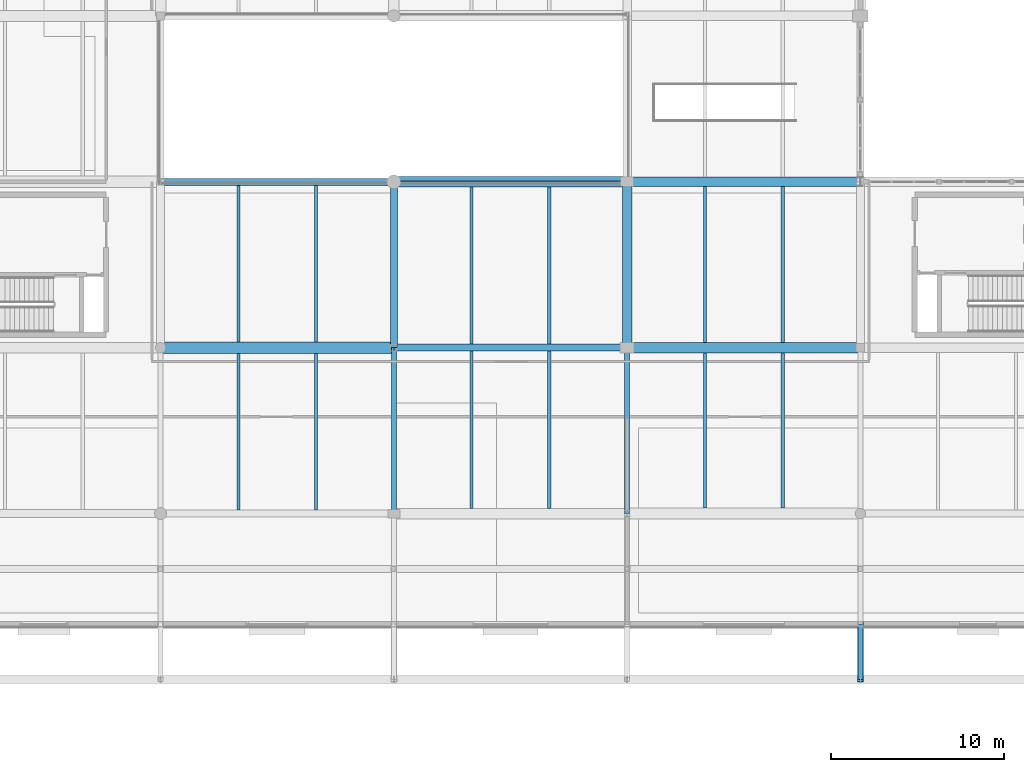
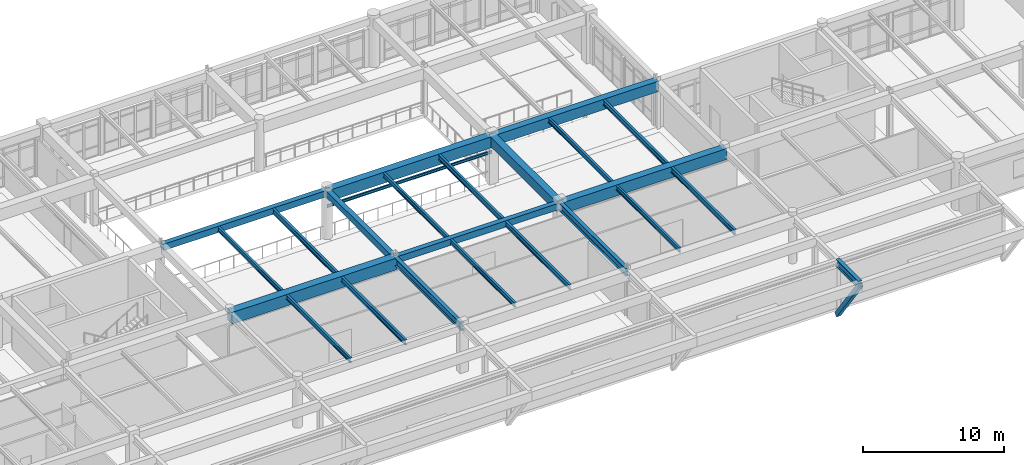
# One storey, part 23 of 80: 24 beams, 1 member.
"""IFC4 building model written with IfcOpenShell, lengths in metres."""

from ifc_helpers import new_model, si_unit, direction, frame, origin, origin_2d, place, context, subcontext, project, spatial, rectangle, hollow_rectangle, i_section, extrude, material, material_profile, profile_set, type_object, element, save


model = new_model("IFC4")

# Units and contexts
model_context = context("Model", 3, precision=1e-05, world=origin(), true_north=direction((0.0, 1.0)))
body_context = subcontext(model_context, "Body", "Model", "MODEL_VIEW")
ifc_project = project(units=[si_unit("LENGTHUNIT", "METRE"), si_unit("AREAUNIT", "SQUARE_METRE"), si_unit("VOLUMEUNIT", "CUBIC_METRE"), si_unit("PLANEANGLEUNIT", "RADIAN"), si_unit("MASSUNIT", "GRAM", prefix="KILO")], contexts=[model_context])

# Site, building, storey
site_placement = place(None, origin())
site = spatial("IfcSite", under=ifc_project, at=site_placement, CompositionType="ELEMENT")
building_placement = place(site_placement, origin())
building = spatial("IfcBuilding", under=site, at=building_placement, Name="Fikremerkos Civic Library", CompositionType="ELEMENT")
storey_placement = place(building_placement, frame((0.0, 0.0, 9.89990234375)))
storey = spatial("IfcBuildingStorey", under=building, at=storey_placement, Name="L02", CompositionType="ELEMENT", Elevation=9.89990234375)

# Beams
ifc_material_1 = material(Name="Steel S355", Category="steel")
ifc_material_profile_1 = material_profile(ifc_material_1, i_section(OverallWidth=0.18994140625, OverallDepth=0.449951171875, WebThickness=0.009521484375, FlangeThickness=0.0146484375, FilletRadius=0.02099609375, at=origin_2d()), Name="IPE 450")
ifc_profile_set_1 = profile_set([ifc_material_profile_1], Name="Steel S355")
beam_type_1 = type_object("IfcBeamType", Name="Floor joist JS-07 IPE 450", PredefinedType="JOIST", material=ifc_profile_set_1)
for number, where, z_axis, x_axis, name in (
    (1, (68.699951171875, 12.199951171875, 3.93505859375), (0.0, 1.0, 0.0), (-1.0, 0.0, 0.0), "Floor joist JS-07 L02 #499"),
    (2, (68.699951171875, 21.925048828125, 3.93505859375), (0.0, 1.0, 0.0), (-1.0, 0.0, 0.0), "Floor joist JS-07 L02 #501"),
):
    element("IfcBeam", number, at=place(storey_placement, frame(where, z_axis=z_axis, x_axis=x_axis)), inside=storey, type_object=beam_type_1, Name=name, PredefinedType="JOIST", context=body_context, shape_type="SweptSolid", body=[
        extrude(i_section(OverallWidth=0.18994140625, OverallDepth=0.449951171875, WebThickness=0.009521484375, FlangeThickness=0.0146484375, FilletRadius=0.02099609375, at=origin_2d()), origin(), (0.0, 0.0, 1.0), 9.074951171875),
    ])
for number, where, z_axis, x_axis, name in (
    (3, (82.199951171875, 12.300048828125, 3.93505859375), (0.0, 1.0, 0.0), (-1.0, 0.0, 0.0), "Floor joist JS-07 L02 #505"),
    (4, (82.199951171875, 21.800048828125, 3.93505859375), (0.0, 1.0, 0.0), (-1.0, 0.0, 0.0), "Floor joist JS-07 L02 #507"),
):
    element("IfcBeam", number, at=place(storey_placement, frame(where, z_axis=z_axis, x_axis=x_axis)), inside=storey, type_object=beam_type_1, Name=name, PredefinedType="JOIST", context=body_context, shape_type="SweptSolid", body=[
        extrude(i_section(OverallWidth=0.18994140625, OverallDepth=0.449951171875, WebThickness=0.009521484375, FlangeThickness=0.0146484375, FilletRadius=0.02099609375, at=origin_2d()), origin(), (0.0, 0.0, 1.0), 9.099853515625),
    ])
beam_1_placement = place(storey_placement, frame((95.699951171875, 12.324951171875, 3.93505859375), z_axis=(0.0, 1.0, 0.0), x_axis=(-1.0, 0.0, 0.0)))
element("IfcBeam", 5, at=beam_1_placement, inside=storey, type_object=beam_type_1, Name="Floor joist JS-07 L02 #511", PredefinedType="JOIST", context=body_context, shape_type="SweptSolid", body=[
    extrude(i_section(OverallWidth=0.18994140625, OverallDepth=0.449951171875, WebThickness=0.009521484375, FlangeThickness=0.0146484375, FilletRadius=0.02099609375, at=origin_2d()), origin(), (0.0, 0.0, 1.0), 8.97509765625),
])
beam_2_placement = place(storey_placement, frame((95.699951171875, 21.89990234375, 3.93505859375), z_axis=(0.0, 1.0, 0.0), x_axis=(-1.0, 0.0, 0.0)))
element("IfcBeam", 6, at=beam_2_placement, inside=storey, type_object=beam_type_1, Name="Floor joist JS-07 L02 #513", PredefinedType="JOIST", context=body_context, shape_type="SweptSolid", body=[
    extrude(i_section(OverallWidth=0.18994140625, OverallDepth=0.449951171875, WebThickness=0.009521484375, FlangeThickness=0.0146484375, FilletRadius=0.02099609375, at=origin_2d()), origin(), (0.0, 0.0, 1.0), 9.025146484375),
])
ifc_material_profile_2 = material_profile(ifc_material_1, i_section(OverallWidth=0.179931640625, OverallDepth=0.39990234375, WebThickness=0.008544921875, FlangeThickness=0.013427734375, FilletRadius=0.02099609375, at=origin_2d()), Name="IPE 400")
ifc_profile_set_2 = profile_set([ifc_material_profile_2], Name="Steel S355")
beam_type_2 = type_object("IfcBeamType", Name="Floor joist JS-08 IPE 400", PredefinedType="JOIST", material=ifc_profile_set_2)
for number, where, z_axis, x_axis, name in (
    (7, (64.199951171875, 12.199951171875, 3.960205078125), (0.0, 1.0, 0.0), (-1.0, 0.0, 0.0), "Floor joist JS-08 L02 #498"),
    (8, (64.199951171875, 21.925048828125, 3.960205078125), (0.0, 1.0, 0.0), (-1.0, 0.0, 0.0), "Floor joist JS-08 L02 #500"),
):
    element("IfcBeam", number, at=place(storey_placement, frame(where, z_axis=z_axis, x_axis=x_axis)), inside=storey, type_object=beam_type_2, Name=name, PredefinedType="JOIST", context=body_context, shape_type="SweptSolid", body=[
        extrude(i_section(OverallWidth=0.179931640625, OverallDepth=0.39990234375, WebThickness=0.008544921875, FlangeThickness=0.013427734375, FilletRadius=0.02099609375, at=origin_2d()), origin(), (0.0, 0.0, 1.0), 9.074951171875),
    ])
for number, where, z_axis, x_axis, name in (
    (9, (77.699951171875, 12.300048828125, 3.960205078125), (0.0, 1.0, 0.0), (-1.0, 0.0, 0.0), "Floor joist JS-08 L02 #504"),
    (10, (77.699951171875, 21.800048828125, 3.960205078125), (0.0, 1.0, 0.0), (-1.0, 0.0, 0.0), "Floor joist JS-08 L02 #506"),
):
    element("IfcBeam", number, at=place(storey_placement, frame(where, z_axis=z_axis, x_axis=x_axis)), inside=storey, type_object=beam_type_2, Name=name, PredefinedType="JOIST", context=body_context, shape_type="SweptSolid", body=[
        extrude(i_section(OverallWidth=0.179931640625, OverallDepth=0.39990234375, WebThickness=0.008544921875, FlangeThickness=0.013427734375, FilletRadius=0.02099609375, at=origin_2d()), origin(), (0.0, 0.0, 1.0), 9.099853515625),
    ])
beam_3_placement = place(storey_placement, frame((91.199951171875, 12.324951171875, 3.960205078125), z_axis=(0.0, 1.0, 0.0), x_axis=(-1.0, 0.0, 0.0)))
element("IfcBeam", 11, at=beam_3_placement, inside=storey, type_object=beam_type_2, Name="Floor joist JS-08 L02 #510", PredefinedType="JOIST", context=body_context, shape_type="SweptSolid", body=[
    extrude(i_section(OverallWidth=0.179931640625, OverallDepth=0.39990234375, WebThickness=0.008544921875, FlangeThickness=0.013427734375, FilletRadius=0.02099609375, at=origin_2d()), origin(), (0.0, 0.0, 1.0), 8.97509765625),
])
beam_4_placement = place(storey_placement, frame((91.199951171875, 21.89990234375, 3.960205078125), z_axis=(0.0, 1.0, 0.0), x_axis=(-1.0, 0.0, 0.0)))
element("IfcBeam", 12, at=beam_4_placement, inside=storey, type_object=beam_type_2, Name="Floor joist JS-08 L02 #512", PredefinedType="JOIST", context=body_context, shape_type="SweptSolid", body=[
    extrude(i_section(OverallWidth=0.179931640625, OverallDepth=0.39990234375, WebThickness=0.008544921875, FlangeThickness=0.013427734375, FilletRadius=0.02099609375, at=origin_2d()), origin(), (0.0, 0.0, 1.0), 9.025146484375),
])
ifc_material_profile_3 = material_profile(ifc_material_1, i_section(OverallWidth=0.1201171875, OverallDepth=0.239990234375, WebThickness=0.006103515625, FlangeThickness=0.009765625, FilletRadius=0.014892578125, at=origin_2d()), Name="IPE 240")
ifc_profile_set_3 = profile_set([ifc_material_profile_3], Name="Steel S355")
beam_type_3 = type_object("IfcBeamType", Name="Opening lintel LNT-04 IPE 240", PredefinedType="LINTEL", material=ifc_profile_set_3)
beam_5_placement = place(storey_placement, frame((73.199951171875, 31.199951171875, 2.6201171875), z_axis=(1.0, 0.0, 0.0), x_axis=(0.0, 1.0, 0.0)))
element("IfcBeam", 13, at=beam_5_placement, inside=storey, type_object=beam_type_3, Name="Interior portal lintel LNT-04 L02 #10", PredefinedType="LINTEL", context=body_context, shape_type="SweptSolid", body=[
    extrude(i_section(OverallWidth=0.1201171875, OverallDepth=0.239990234375, WebThickness=0.006103515625, FlangeThickness=0.009765625, FilletRadius=0.014892578125, at=origin_2d()), origin(), (0.0, 0.0, 1.0), 13.5),
])
ifc_material_2 = material(Name="Concrete C40/50", Category="concrete")
ifc_material_profile_4 = material_profile(ifc_material_2, rectangle(XDim=0.60009765625, YDim=0.949951171875, at=origin_2d()), Name="RC 600x950")
ifc_profile_set_4 = profile_set([ifc_material_profile_4], Name="Concrete C40/50")
beam_type_4 = type_object("IfcBeamType", Name="Primary girder BM-01 RC 600x950", PredefinedType="BEAM", material=ifc_profile_set_4)
for number, where, z_axis, x_axis, name in (
    (14, (86.699951171875, 21.60009765625, 3.68505859375), (1.0, 0.0, 0.0), (0.0, 1.0, 0.0), "Primary girder BM-01 L02 grid F"),
    (15, (73.199951171875, 31.199951171875, 3.68505859375), (1.0, 0.0, 0.0), (0.0, 1.0, 0.0), "Primary girder BM-01 L02 grid G"),
):
    element("IfcBeam", number, at=place(storey_placement, frame(where, z_axis=z_axis, x_axis=x_axis)), inside=storey, type_object=beam_type_4, Name=name, PredefinedType="BEAM", context=body_context, shape_type="SweptSolid", body=[
        extrude(rectangle(XDim=0.60009765625, YDim=0.949951171875, at=origin_2d()), origin(), (0.0, 0.0, 1.0), 13.5),
    ])
ifc_material_profile_5 = material_profile(ifc_material_2, rectangle(XDim=0.550048828125, YDim=0.89990234375, at=origin_2d()), Name="RC 550x900")
ifc_profile_set_5 = profile_set([ifc_material_profile_5], Name="Concrete C40/50")
beam_type_5 = type_object("IfcBeamType", Name="Primary girder BM-02 RC 550x900", PredefinedType="BEAM", material=ifc_profile_set_5)
beam_6_placement = place(storey_placement, frame((86.699951171875, 31.199951171875, 3.710205078125), z_axis=(1.0, 0.0, 0.0), x_axis=(0.0, 1.0, 0.0)))
element("IfcBeam", 16, at=beam_6_placement, inside=storey, type_object=beam_type_5, Name="Primary girder BM-02 L02 grid G", PredefinedType="BEAM", context=body_context, shape_type="SweptSolid", body=[
    extrude(rectangle(XDim=0.550048828125, YDim=0.89990234375, at=origin_2d()), origin(), (0.0, 0.0, 1.0), 13.5),
])
ifc_material_profile_6 = material_profile(ifc_material_2, rectangle(XDim=0.550048828125, YDim=0.85009765625, at=origin_2d()), Name="RC 550x850")
ifc_profile_set_6 = profile_set([ifc_material_profile_6], Name="Concrete C40/50")
beam_type_6 = type_object("IfcBeamType", Name="Primary girder BM-03 RC 550x850", PredefinedType="BEAM", material=ifc_profile_set_6)
beam_7_placement = place(storey_placement, frame((86.699951171875, 21.60009765625, 3.735107421875), z_axis=(0.0, 1.0, 0.0), x_axis=(-1.0, 0.0, 0.0)))
element("IfcBeam", 17, at=beam_7_placement, inside=storey, type_object=beam_type_6, Name="Primary girder BM-03 L02 grid 8", PredefinedType="BEAM", context=body_context, shape_type="SweptSolid", body=[
    extrude(rectangle(XDim=0.550048828125, YDim=0.85009765625, at=origin_2d()), origin(), (0.0, 0.0, 1.0), 9.599853515625),
])
ifc_material_profile_7 = material_profile(ifc_material_1, i_section(OverallWidth=0.300048828125, OverallDepth=0.64990234375, WebThickness=0.01611328125, FlangeThickness=0.031005859375, FilletRadius=0.027099609375, at=origin_2d()), Name="HEB 650")
ifc_profile_set_7 = profile_set([ifc_material_profile_7], Name="Steel S355")
beam_type_7 = type_object("IfcBeamType", Name="Primary girder BM-12 HEB 650", PredefinedType="BEAM", material=ifc_profile_set_7)
for number, where, z_axis, x_axis, name in (
    (18, (73.199951171875, 12.0, 3.835205078125), (0.0, 1.0, 0.0), (-1.0, 0.0, 0.0), "Primary girder BM-12 L02 grid 7"),
    (19, (86.699951171875, 12.0, 3.835205078125), (0.0, 1.0, 0.0), (-1.0, 0.0, 0.0), "Primary girder BM-12 L02 grid 8"),
):
    element("IfcBeam", number, at=place(storey_placement, frame(where, z_axis=z_axis, x_axis=x_axis)), inside=storey, type_object=beam_type_7, Name=name, PredefinedType="BEAM", context=body_context, shape_type="SweptSolid", body=[
        extrude(i_section(OverallWidth=0.300048828125, OverallDepth=0.64990234375, WebThickness=0.01611328125, FlangeThickness=0.031005859375, FilletRadius=0.027099609375, at=origin_2d()), origin(), (0.0, 0.0, 1.0), 9.60009765625),
    ])
beam_8_placement = place(storey_placement, frame((100.199951171875, 5.60009765625, 3.835205078125), z_axis=(0.0, -1.0, 0.0), x_axis=(1.0, 0.0, 0.0)))
element("IfcBeam", 20, at=beam_8_placement, inside=storey, type_object=beam_type_7, Name="Cantilever girder BM-12 L02 X=100.2 #3", PredefinedType="BEAM", context=body_context, shape_type="SweptSolid", body=[
    extrude(i_section(OverallWidth=0.300048828125, OverallDepth=0.64990234375, WebThickness=0.01611328125, FlangeThickness=0.031005859375, FilletRadius=0.027099609375, at=origin_2d()), origin(), (0.0, 0.0, 1.0), 3.2001953125),
])
ifc_material_3 = material(Name="Concrete C45/55", Category="concrete")
ifc_material_profile_8 = material_profile(ifc_material_3, rectangle(XDim=0.64990234375, YDim=1.0, at=origin_2d()), Name="RC 650x1000")
ifc_profile_set_8 = profile_set([ifc_material_profile_8], Name="Concrete C45/55")
beam_type_8 = type_object("IfcBeamType", Name="Primary girder BM-25 RC 650x1000", PredefinedType="BEAM", material=ifc_profile_set_8)
beam_9_placement = place(storey_placement, frame((59.699951171875, 21.60009765625, 3.66015625), z_axis=(1.0, 0.0, 0.0), x_axis=(0.0, 1.0, 0.0)))
element("IfcBeam", 21, at=beam_9_placement, inside=storey, type_object=beam_type_8, Name="Primary girder BM-25 L02 grid F", PredefinedType="BEAM", context=body_context, shape_type="SweptSolid", body=[
    extrude(rectangle(XDim=0.64990234375, YDim=1.0, at=origin_2d()), origin(), (0.0, 0.0, 1.0), 13.5),
])
ifc_material_profile_9 = material_profile(ifc_material_2, rectangle(XDim=0.39990234375, YDim=0.550048828125, at=origin_2d()), Name="RC 400x550")
ifc_profile_set_9 = profile_set([ifc_material_profile_9], Name="Concrete C40/50")
beam_type_9 = type_object("IfcBeamType", Name="Primary girder BM-26 RC 400x550", PredefinedType="BEAM", material=ifc_profile_set_9)
for number, where, z_axis, x_axis, name in (
    (22, (73.199951171875, 21.60009765625, 3.885009765625), (1.0, 0.0, 0.0), (0.0, 1.0, 0.0), "Primary girder BM-26 L02 grid F"),
    (23, (59.699951171875, 31.199951171875, 3.885009765625), (1.0, 0.0, 0.0), (0.0, 1.0, 0.0), "Primary girder BM-26 L02 grid G"),
):
    element("IfcBeam", number, at=place(storey_placement, frame(where, z_axis=z_axis, x_axis=x_axis)), inside=storey, type_object=beam_type_9, Name=name, PredefinedType="BEAM", context=body_context, shape_type="SweptSolid", body=[
        extrude(rectangle(XDim=0.39990234375, YDim=0.550048828125, at=origin_2d()), origin(), (0.0, 0.0, 1.0), 13.5),
    ])
beam_10_placement = place(storey_placement, frame((73.199951171875, 21.60009765625, 3.885009765625), z_axis=(0.0, 1.0, 0.0), x_axis=(-1.0, 0.0, 0.0)))
element("IfcBeam", 24, at=beam_10_placement, inside=storey, type_object=beam_type_9, Name="Primary girder BM-26 L02 grid 7", PredefinedType="BEAM", context=body_context, shape_type="SweptSolid", body=[
    extrude(rectangle(XDim=0.39990234375, YDim=0.550048828125, at=origin_2d()), origin(), (0.0, 0.0, 1.0), 9.599853515625),
])

# Member
ifc_material_profile_10 = material_profile(ifc_material_1, hollow_rectangle(XDim=0.35009765625, YDim=0.35009765625, WallThickness=0.01611328125, at=origin_2d()), Name="SHS 350x350x16")
ifc_profile_set_10 = profile_set([ifc_material_profile_10], Name="Steel S355")
member_type = type_object("IfcMemberType", Name="Raking strut STR-01 SHS 350x350x16", PredefinedType="STRUT", material=ifc_profile_set_10)
member_placement = place(storey_placement, frame((100.199951171875, 5.60009765625, -0.64501953125), z_axis=(0.0, -0.581242388279, 0.813730475076), x_axis=(1.0, 0.0, 0.0)))
element("IfcMember", 25, at=member_placement, inside=storey, type_object=member_type, Name="Raking cantilever strut STR-01 L02 X=100.2", PredefinedType="STRUT", context=body_context, shape_type="SweptSolid", body=[
    extrude(hollow_rectangle(XDim=0.35009765625, YDim=0.35009765625, WallThickness=0.01611328125, at=origin_2d()), origin(), (0.0, 0.0, 1.0), 5.505859375),
])

save(model, "model.ifc")
